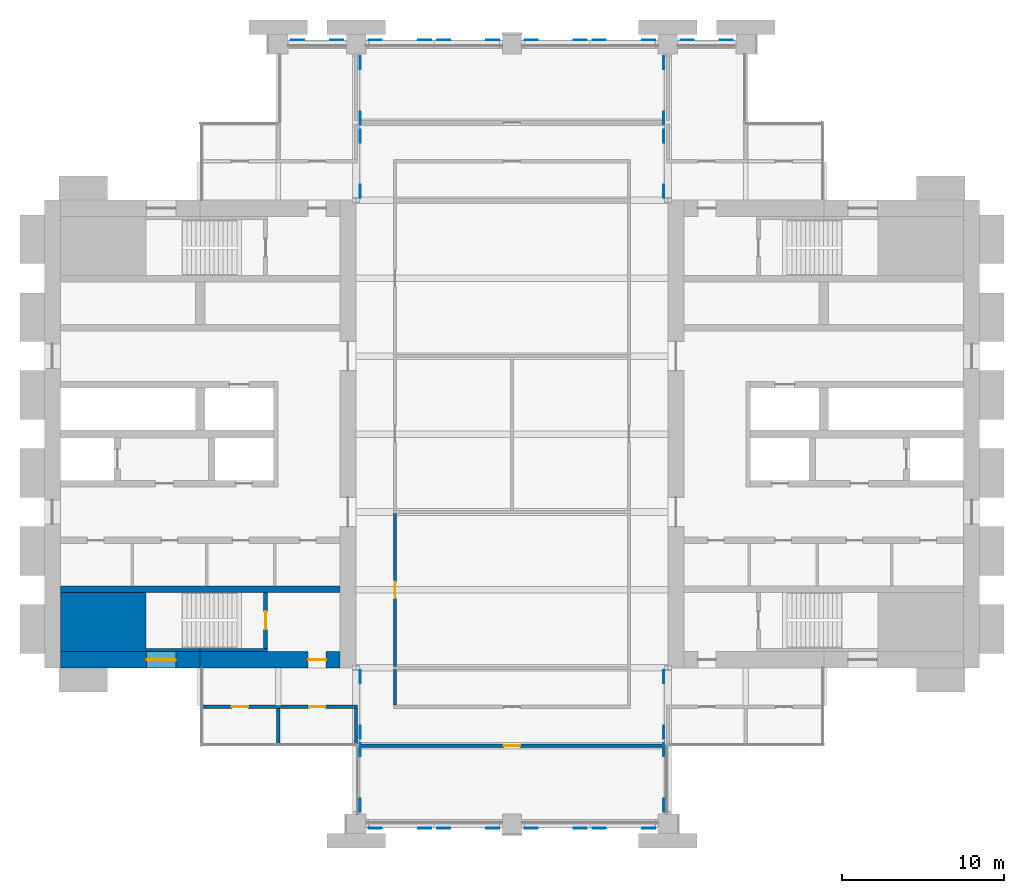
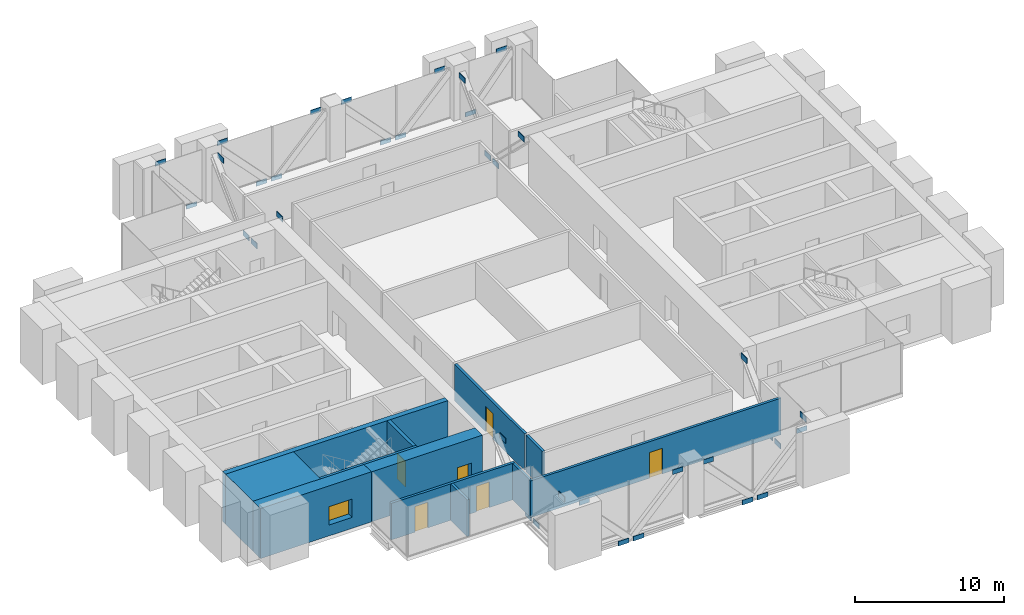
# One storey, part 9 of 14: 36 plates, 13 walls, 6 doors, 1 window, 7 openings.
"""IFC4 building model written with IfcOpenShell, lengths in metres."""

from ifc_helpers import new_model, si_unit, direction, frame, frame_2d, origin, place, context, subcontext, project, spatial, polyline, rectangle, outline, extrude, material, layer, layer_set, type_object, element, fill, save


model = new_model("IFC4")

# Units and contexts
model_context = context("Model", 3, precision=1e-05, world=origin(), true_north=direction((0.0, 1.0)))
body_context = subcontext(model_context, "Body", "Model", "MODEL_VIEW")
ifc_project = project(units=[si_unit("LENGTHUNIT", "METRE"), si_unit("AREAUNIT", "SQUARE_METRE"), si_unit("VOLUMEUNIT", "CUBIC_METRE"), si_unit("PLANEANGLEUNIT", "RADIAN"), si_unit("MASSUNIT", "GRAM", prefix="KILO")], contexts=[model_context])

# Site, building, storey
site_placement = place(None, origin())
site = spatial("IfcSite", under=ifc_project, at=site_placement, CompositionType="ELEMENT")
building_placement = place(site_placement, origin())
building = spatial("IfcBuilding", under=site, at=building_placement, Name="Baori Bourse Tower", CompositionType="ELEMENT")
storey_placement = place(building_placement, frame((0.0, 0.0, 176.10009765625)))
storey = spatial("IfcBuildingStorey", under=building, at=storey_placement, Name="L39", CompositionType="ELEMENT", Elevation=176.10009765625)

# Plates
ifc_material_1 = material(Name="Steel A572 Gr 50", Category="steel")
ifc_layer_1 = layer(ifc_material_1, 0.0400390625)
ifc_layer_set_1 = layer_set([ifc_layer_1], Name="Gusset plate 40")
plate_type_1 = type_object("IfcPlateType", Name="Gusset plate 40", PredefinedType="SHEET", material=ifc_layer_set_1)
plate_1_placement = place(storey_placement, frame((0.0, 0.0, 3.701171875)))
element("IfcPlate", 1, at=plate_1_placement, inside=storey, type_object=plate_type_1, Name="Gusset plate", PredefinedType="SHEET", context=body_context, shape_type="SweptSolid", body=[
    extrude(outline(polyline([(19.983642578125, -0.2939453125), (20.78369140625, -0.2939453125), (20.78369140625, -0.25390625), (19.983642578125, -0.25390625), (19.983642578125, -0.2939453125)])), origin(), (0.0, 0.0, 1.0), 0.374755859375),
])
plate_2_placement = place(storey_placement, frame((0.0, 0.0, -0.6748046875)))
element("IfcPlate", 2, at=plate_2_placement, inside=storey, type_object=plate_type_1, Name="Gusset plate", PredefinedType="SHEET", context=body_context, shape_type="SweptSolid", body=[
    extrude(outline(polyline([(23.016357421875, -0.2939453125), (23.816162109375, -0.2939453125), (23.816162109375, -0.25390625), (23.016357421875, -0.25390625), (23.016357421875, -0.2939453125)])), origin(), (0.0, 0.0, 1.0), 0.374755859375),
])
plate_3_placement = place(storey_placement, frame((0.0, 0.0, -0.6748046875)))
element("IfcPlate", 3, at=plate_3_placement, inside=storey, type_object=plate_type_1, Name="Gusset plate", PredefinedType="SHEET", context=body_context, shape_type="SweptSolid", body=[
    extrude(outline(polyline([(24.183837890625, -0.2939453125), (24.983642578125, -0.2939453125), (24.983642578125, -0.25390625), (24.183837890625, -0.25390625), (24.183837890625, -0.2939453125)])), origin(), (0.0, 0.0, 1.0), 0.374755859375),
])
plate_4_placement = place(storey_placement, frame((0.0, 0.0, 3.701171875)))
element("IfcPlate", 4, at=plate_4_placement, inside=storey, type_object=plate_type_1, Name="Gusset plate", PredefinedType="SHEET", context=body_context, shape_type="SweptSolid", body=[
    extrude(outline(polyline([(27.21630859375, -0.2939453125), (28.016357421875, -0.2939453125), (28.016357421875, -0.25390625), (27.21630859375, -0.25390625), (27.21630859375, -0.2939453125)])), origin(), (0.0, 0.0, 1.0), 0.374755859375),
])
plate_5_placement = place(storey_placement, frame((0.0, 0.0, 3.701171875)))
element("IfcPlate", 5, at=plate_5_placement, inside=storey, type_object=plate_type_1, Name="Gusset plate", PredefinedType="SHEET", context=body_context, shape_type="SweptSolid", body=[
    extrude(outline(polyline([(29.583740234375, -0.2939453125), (30.3837890625, -0.2939453125), (30.3837890625, -0.25390625), (29.583740234375, -0.25390625), (29.583740234375, -0.2939453125)])), origin(), (0.0, 0.0, 1.0), 0.374755859375),
])
plate_6_placement = place(storey_placement, frame((0.0, 0.0, -0.6748046875)))
element("IfcPlate", 6, at=plate_6_placement, inside=storey, type_object=plate_type_1, Name="Gusset plate", PredefinedType="SHEET", context=body_context, shape_type="SweptSolid", body=[
    extrude(outline(polyline([(32.6162109375, -0.2939453125), (33.416259765625, -0.2939453125), (33.416259765625, -0.25390625), (32.6162109375, -0.25390625), (32.6162109375, -0.2939453125)])), origin(), (0.0, 0.0, 1.0), 0.374755859375),
])
plate_7_placement = place(storey_placement, frame((0.0, 0.0, -0.6748046875)))
element("IfcPlate", 7, at=plate_7_placement, inside=storey, type_object=plate_type_1, Name="Gusset plate", PredefinedType="SHEET", context=body_context, shape_type="SweptSolid", body=[
    extrude(outline(polyline([(33.78369140625, -0.2939453125), (34.583740234375, -0.2939453125), (34.583740234375, -0.25390625), (33.78369140625, -0.25390625), (33.78369140625, -0.2939453125)])), origin(), (0.0, 0.0, 1.0), 0.374755859375),
])
plate_8_placement = place(storey_placement, frame((0.0, 0.0, 3.701171875)))
element("IfcPlate", 8, at=plate_8_placement, inside=storey, type_object=plate_type_1, Name="Gusset plate", PredefinedType="SHEET", context=body_context, shape_type="SweptSolid", body=[
    extrude(outline(polyline([(36.816162109375, -0.2939453125), (37.6162109375, -0.2939453125), (37.6162109375, -0.25390625), (36.816162109375, -0.25390625), (36.816162109375, -0.2939453125)])), origin(), (0.0, 0.0, 1.0), 0.374755859375),
])
plate_9_placement = place(storey_placement, frame((0.0, 0.0, 3.701171875)))
element("IfcPlate", 9, at=plate_9_placement, inside=storey, type_object=plate_type_1, Name="Gusset plate", PredefinedType="SHEET", context=body_context, shape_type="SweptSolid", body=[
    extrude(outline(polyline([(15.196533203125, 48.25390625), (15.99658203125, 48.25390625), (15.99658203125, 48.2939453125), (15.196533203125, 48.2939453125), (15.196533203125, 48.25390625)])), origin(), (0.0, 0.0, 1.0), 0.360107421875),
])
plate_10_placement = place(storey_placement, frame((0.0, 0.0, -0.660400390625)))
element("IfcPlate", 10, at=plate_10_placement, inside=storey, type_object=plate_type_1, Name="Gusset plate", PredefinedType="SHEET", context=body_context, shape_type="SweptSolid", body=[
    extrude(outline(polyline([(17.603515625, 48.25390625), (18.4033203125, 48.25390625), (18.4033203125, 48.2939453125), (17.603515625, 48.2939453125), (17.603515625, 48.25390625)])), origin(), (0.0, 0.0, 1.0), 0.3603515625),
])
plate_11_placement = place(storey_placement, frame((0.0, 0.0, 3.701171875)))
element("IfcPlate", 11, at=plate_11_placement, inside=storey, type_object=plate_type_1, Name="Gusset plate", PredefinedType="SHEET", context=body_context, shape_type="SweptSolid", body=[
    extrude(outline(polyline([(19.983642578125, 48.25390625), (20.78369140625, 48.25390625), (20.78369140625, 48.2939453125), (19.983642578125, 48.2939453125), (19.983642578125, 48.25390625)])), origin(), (0.0, 0.0, 1.0), 0.374755859375),
])
plate_12_placement = place(storey_placement, frame((0.0, 0.0, -0.6748046875)))
element("IfcPlate", 12, at=plate_12_placement, inside=storey, type_object=plate_type_1, Name="Gusset plate", PredefinedType="SHEET", context=body_context, shape_type="SweptSolid", body=[
    extrude(outline(polyline([(23.016357421875, 48.25390625), (23.816162109375, 48.25390625), (23.816162109375, 48.2939453125), (23.016357421875, 48.2939453125), (23.016357421875, 48.25390625)])), origin(), (0.0, 0.0, 1.0), 0.374755859375),
])
plate_13_placement = place(storey_placement, frame((0.0, 0.0, -0.6748046875)))
element("IfcPlate", 13, at=plate_13_placement, inside=storey, type_object=plate_type_1, Name="Gusset plate", PredefinedType="SHEET", context=body_context, shape_type="SweptSolid", body=[
    extrude(outline(polyline([(24.183837890625, 48.25390625), (24.983642578125, 48.25390625), (24.983642578125, 48.2939453125), (24.183837890625, 48.2939453125), (24.183837890625, 48.25390625)])), origin(), (0.0, 0.0, 1.0), 0.374755859375),
])
plate_14_placement = place(storey_placement, frame((0.0, 0.0, 3.701171875)))
element("IfcPlate", 14, at=plate_14_placement, inside=storey, type_object=plate_type_1, Name="Gusset plate", PredefinedType="SHEET", context=body_context, shape_type="SweptSolid", body=[
    extrude(outline(polyline([(27.21630859375, 48.25390625), (28.016357421875, 48.25390625), (28.016357421875, 48.2939453125), (27.21630859375, 48.2939453125), (27.21630859375, 48.25390625)])), origin(), (0.0, 0.0, 1.0), 0.374755859375),
])
plate_15_placement = place(storey_placement, frame((0.0, 0.0, 3.701171875)))
element("IfcPlate", 15, at=plate_15_placement, inside=storey, type_object=plate_type_1, Name="Gusset plate", PredefinedType="SHEET", context=body_context, shape_type="SweptSolid", body=[
    extrude(outline(polyline([(29.583740234375, 48.25390625), (30.3837890625, 48.25390625), (30.3837890625, 48.2939453125), (29.583740234375, 48.2939453125), (29.583740234375, 48.25390625)])), origin(), (0.0, 0.0, 1.0), 0.374755859375),
])
plate_16_placement = place(storey_placement, frame((0.0, 0.0, -0.6748046875)))
element("IfcPlate", 16, at=plate_16_placement, inside=storey, type_object=plate_type_1, Name="Gusset plate", PredefinedType="SHEET", context=body_context, shape_type="SweptSolid", body=[
    extrude(outline(polyline([(32.6162109375, 48.25390625), (33.416259765625, 48.25390625), (33.416259765625, 48.2939453125), (32.6162109375, 48.2939453125), (32.6162109375, 48.25390625)])), origin(), (0.0, 0.0, 1.0), 0.374755859375),
])
plate_17_placement = place(storey_placement, frame((0.0, 0.0, -0.6748046875)))
element("IfcPlate", 17, at=plate_17_placement, inside=storey, type_object=plate_type_1, Name="Gusset plate", PredefinedType="SHEET", context=body_context, shape_type="SweptSolid", body=[
    extrude(outline(polyline([(33.78369140625, 48.25390625), (34.583740234375, 48.25390625), (34.583740234375, 48.2939453125), (33.78369140625, 48.2939453125), (33.78369140625, 48.25390625)])), origin(), (0.0, 0.0, 1.0), 0.374755859375),
])
plate_18_placement = place(storey_placement, frame((0.0, 0.0, 3.701171875)))
element("IfcPlate", 18, at=plate_18_placement, inside=storey, type_object=plate_type_1, Name="Gusset plate", PredefinedType="SHEET", context=body_context, shape_type="SweptSolid", body=[
    extrude(outline(polyline([(36.816162109375, 48.25390625), (37.6162109375, 48.25390625), (37.6162109375, 48.2939453125), (36.816162109375, 48.2939453125), (36.816162109375, 48.25390625)])), origin(), (0.0, 0.0, 1.0), 0.374755859375),
])
plate_19_placement = place(storey_placement, frame((0.0, 0.0, -0.660400390625)))
element("IfcPlate", 19, at=plate_19_placement, inside=storey, type_object=plate_type_1, Name="Gusset plate", PredefinedType="SHEET", context=body_context, shape_type="SweptSolid", body=[
    extrude(outline(polyline([(39.196533203125, 48.25390625), (39.99658203125, 48.25390625), (39.99658203125, 48.2939453125), (39.196533203125, 48.2939453125), (39.196533203125, 48.25390625)])), origin(), (0.0, 0.0, 1.0), 0.3603515625),
])
plate_20_placement = place(storey_placement, frame((0.0, 0.0, 3.701171875)))
element("IfcPlate", 20, at=plate_20_placement, inside=storey, type_object=plate_type_1, Name="Gusset plate", PredefinedType="SHEET", context=body_context, shape_type="SweptSolid", body=[
    extrude(outline(polyline([(41.603515625, 48.25390625), (42.4033203125, 48.25390625), (42.4033203125, 48.2939453125), (41.603515625, 48.2939453125), (41.603515625, 48.25390625)])), origin(), (0.0, 0.0, 1.0), 0.360107421875),
])
ifc_material_2 = material(Name="Steel A572 Gr 50", Category="steel")
ifc_layer_2 = layer(ifc_material_2, 0.050048828125)
ifc_layer_set_2 = layer_set([ifc_layer_2], Name="Gusset plate 50")
plate_type_2 = type_object("IfcPlateType", Name="Gusset plate 50", PredefinedType="SHEET", material=ifc_layer_set_2)
plate_21_placement = place(storey_placement, frame((0.0, 0.0, 3.531005859375)))
element("IfcPlate", 21, at=plate_21_placement, inside=storey, type_object=plate_type_2, Name="Gusset plate", PredefinedType="SHEET", context=body_context, shape_type="SweptSolid", body=[
    extrude(outline(polyline([(19.42724609375, 0.74658203125), (19.477294921875, 0.74658203125), (19.477294921875, 1.54638671875), (19.42724609375, 1.54638671875), (19.42724609375, 0.74658203125)])), origin(), (0.0, 0.0, 1.0), 0.434326171875),
])
plate_22_placement = place(storey_placement, frame((0.0, 0.0, -0.734375)))
element("IfcPlate", 22, at=plate_22_placement, inside=storey, type_object=plate_type_2, Name="Gusset plate", PredefinedType="SHEET", context=body_context, shape_type="SweptSolid", body=[
    extrude(outline(polyline([(19.42724609375, 4.153564453125), (19.477294921875, 4.153564453125), (19.477294921875, 4.95361328125), (19.42724609375, 4.95361328125), (19.42724609375, 4.153564453125)])), origin(), (0.0, 0.0, 1.0), 0.434326171875),
])
plate_23_placement = place(storey_placement, frame((0.0, 0.0, -0.734375)))
element("IfcPlate", 23, at=plate_23_placement, inside=storey, type_object=plate_type_2, Name="Gusset plate", PredefinedType="SHEET", context=body_context, shape_type="SweptSolid", body=[
    extrude(outline(polyline([(19.42724609375, 5.24658203125), (19.477294921875, 5.24658203125), (19.477294921875, 6.04638671875), (19.42724609375, 6.04638671875), (19.42724609375, 5.24658203125)])), origin(), (0.0, 0.0, 1.0), 0.434326171875),
])
plate_24_placement = place(storey_placement, frame((0.0, 0.0, 3.531005859375)))
element("IfcPlate", 24, at=plate_24_placement, inside=storey, type_object=plate_type_2, Name="Gusset plate", PredefinedType="SHEET", context=body_context, shape_type="SweptSolid", body=[
    extrude(outline(polyline([(19.42724609375, 8.653564453125), (19.477294921875, 8.653564453125), (19.477294921875, 9.45361328125), (19.42724609375, 9.45361328125), (19.42724609375, 8.653564453125)])), origin(), (0.0, 0.0, 1.0), 0.434326171875),
])
plate_25_placement = place(storey_placement, frame((0.0, 0.0, 3.531005859375)))
element("IfcPlate", 25, at=plate_25_placement, inside=storey, type_object=plate_type_2, Name="Gusset plate", PredefinedType="SHEET", context=body_context, shape_type="SweptSolid", body=[
    extrude(outline(polyline([(19.42724609375, 38.54638671875), (19.477294921875, 38.54638671875), (19.477294921875, 39.346435546875), (19.42724609375, 39.346435546875), (19.42724609375, 38.54638671875)])), origin(), (0.0, 0.0, 1.0), 0.434326171875),
])
plate_26_placement = place(storey_placement, frame((0.0, 0.0, -0.734375)))
element("IfcPlate", 26, at=plate_26_placement, inside=storey, type_object=plate_type_2, Name="Gusset plate", PredefinedType="SHEET", context=body_context, shape_type="SweptSolid", body=[
    extrude(outline(polyline([(19.42724609375, 41.95361328125), (19.477294921875, 41.95361328125), (19.477294921875, 42.75341796875), (19.42724609375, 42.75341796875), (19.42724609375, 41.95361328125)])), origin(), (0.0, 0.0, 1.0), 0.434326171875),
])
plate_27_placement = place(storey_placement, frame((0.0, 0.0, -0.734375)))
element("IfcPlate", 27, at=plate_27_placement, inside=storey, type_object=plate_type_2, Name="Gusset plate", PredefinedType="SHEET", context=body_context, shape_type="SweptSolid", body=[
    extrude(outline(polyline([(19.42724609375, 43.04638671875), (19.477294921875, 43.04638671875), (19.477294921875, 43.846435546875), (19.42724609375, 43.846435546875), (19.42724609375, 43.04638671875)])), origin(), (0.0, 0.0, 1.0), 0.434326171875),
])
plate_28_placement = place(storey_placement, frame((0.0, 0.0, 3.531005859375)))
element("IfcPlate", 28, at=plate_28_placement, inside=storey, type_object=plate_type_2, Name="Gusset plate", PredefinedType="SHEET", context=body_context, shape_type="SweptSolid", body=[
    extrude(outline(polyline([(19.42724609375, 46.45361328125), (19.477294921875, 46.45361328125), (19.477294921875, 47.25341796875), (19.42724609375, 47.25341796875), (19.42724609375, 46.45361328125)])), origin(), (0.0, 0.0, 1.0), 0.434326171875),
])
plate_29_placement = place(storey_placement, frame((0.0, 0.0, 3.531005859375)))
element("IfcPlate", 29, at=plate_29_placement, inside=storey, type_object=plate_type_2, Name="Gusset plate", PredefinedType="SHEET", context=body_context, shape_type="SweptSolid", body=[
    extrude(outline(polyline([(38.12255859375, 0.74658203125), (38.172607421875, 0.74658203125), (38.172607421875, 1.54638671875), (38.12255859375, 1.54638671875), (38.12255859375, 0.74658203125)])), origin(), (0.0, 0.0, 1.0), 0.434326171875),
])
plate_30_placement = place(storey_placement, frame((0.0, 0.0, -0.734375)))
element("IfcPlate", 30, at=plate_30_placement, inside=storey, type_object=plate_type_2, Name="Gusset plate", PredefinedType="SHEET", context=body_context, shape_type="SweptSolid", body=[
    extrude(outline(polyline([(38.12255859375, 4.153564453125), (38.172607421875, 4.153564453125), (38.172607421875, 4.95361328125), (38.12255859375, 4.95361328125), (38.12255859375, 4.153564453125)])), origin(), (0.0, 0.0, 1.0), 0.434326171875),
])
plate_31_placement = place(storey_placement, frame((0.0, 0.0, -0.734375)))
element("IfcPlate", 31, at=plate_31_placement, inside=storey, type_object=plate_type_2, Name="Gusset plate", PredefinedType="SHEET", context=body_context, shape_type="SweptSolid", body=[
    extrude(outline(polyline([(38.12255859375, 5.24658203125), (38.172607421875, 5.24658203125), (38.172607421875, 6.04638671875), (38.12255859375, 6.04638671875), (38.12255859375, 5.24658203125)])), origin(), (0.0, 0.0, 1.0), 0.434326171875),
])
plate_32_placement = place(storey_placement, frame((0.0, 0.0, 3.531005859375)))
element("IfcPlate", 32, at=plate_32_placement, inside=storey, type_object=plate_type_2, Name="Gusset plate", PredefinedType="SHEET", context=body_context, shape_type="SweptSolid", body=[
    extrude(outline(polyline([(38.12255859375, 8.653564453125), (38.172607421875, 8.653564453125), (38.172607421875, 9.45361328125), (38.12255859375, 9.45361328125), (38.12255859375, 8.653564453125)])), origin(), (0.0, 0.0, 1.0), 0.434326171875),
])
plate_33_placement = place(storey_placement, frame((0.0, 0.0, 3.531005859375)))
element("IfcPlate", 33, at=plate_33_placement, inside=storey, type_object=plate_type_2, Name="Gusset plate", PredefinedType="SHEET", context=body_context, shape_type="SweptSolid", body=[
    extrude(outline(polyline([(38.12255859375, 38.54638671875), (38.172607421875, 38.54638671875), (38.172607421875, 39.346435546875), (38.12255859375, 39.346435546875), (38.12255859375, 38.54638671875)])), origin(), (0.0, 0.0, 1.0), 0.434326171875),
])
plate_34_placement = place(storey_placement, frame((0.0, 0.0, -0.734375)))
element("IfcPlate", 34, at=plate_34_placement, inside=storey, type_object=plate_type_2, Name="Gusset plate", PredefinedType="SHEET", context=body_context, shape_type="SweptSolid", body=[
    extrude(outline(polyline([(38.12255859375, 41.95361328125), (38.172607421875, 41.95361328125), (38.172607421875, 42.75341796875), (38.12255859375, 42.75341796875), (38.12255859375, 41.95361328125)])), origin(), (0.0, 0.0, 1.0), 0.434326171875),
])
plate_35_placement = place(storey_placement, frame((0.0, 0.0, -0.734375)))
element("IfcPlate", 35, at=plate_35_placement, inside=storey, type_object=plate_type_2, Name="Gusset plate", PredefinedType="SHEET", context=body_context, shape_type="SweptSolid", body=[
    extrude(outline(polyline([(38.12255859375, 43.04638671875), (38.172607421875, 43.04638671875), (38.172607421875, 43.846435546875), (38.12255859375, 43.846435546875), (38.12255859375, 43.04638671875)])), origin(), (0.0, 0.0, 1.0), 0.434326171875),
])
plate_36_placement = place(storey_placement, frame((0.0, 0.0, 3.531005859375)))
element("IfcPlate", 36, at=plate_36_placement, inside=storey, type_object=plate_type_2, Name="Gusset plate", PredefinedType="SHEET", context=body_context, shape_type="SweptSolid", body=[
    extrude(outline(polyline([(38.12255859375, 46.45361328125), (38.172607421875, 46.45361328125), (38.172607421875, 47.25341796875), (38.12255859375, 47.25341796875), (38.12255859375, 46.45361328125)])), origin(), (0.0, 0.0, 1.0), 0.434326171875),
])

# Wall
ifc_material_3 = material(Name="Concrete f'c 60 MPa", Category="concrete")
wall_type_1 = type_object("IfcWallType", Name="Core corner block f'c 60", PredefinedType="SHEAR", material=ifc_material_3)
wall_1_placement = place(storey_placement, frame((1.0, 12.425048828125, 0.0), z_axis=(0.0, 0.0, 1.0), x_axis=(1.0, 0.0, 0.0)))
element("IfcWall", 37, at=wall_1_placement, inside=storey, type_object=wall_type_1, Name="Core wall W05", PredefinedType="SHEAR", context=body_context, shape_type="SweptSolid", body=[
    extrude(rectangle(XDim=5.25, YDim=3.64990234375, at=frame_2d((2.625, 0.0))), origin(), (0.0, 0.0, 1.0), 4.099853515625),
])

# Wall, opening, window
ifc_material_4 = material(Name="Concrete f'c 60 MPa", Category="concrete")
ifc_layer_3 = layer(ifc_material_4, 1.0)
ifc_layer_set_3 = layer_set([ifc_layer_3], Name="Core wall 1000 f'c 60")
wall_type_2 = type_object("IfcWallType", Name="Core wall 1000 f'c 60", PredefinedType="SHEAR", material=ifc_layer_set_3)
wall_2_placement = place(storey_placement, frame((9.60009765625, 10.10009765625, 0.0), z_axis=(0.0, 0.0, 1.0), x_axis=(-1.0, 0.0, 0.0)))
wall_2 = element("IfcWall", 38, at=wall_2_placement, inside=storey, type_object=wall_type_2, Name="Core wall W02", PredefinedType="SHEAR", context=body_context, shape_type="SweptSolid", body=[
    extrude(rectangle(XDim=8.60009765625, YDim=1.0, at=frame_2d((4.300048828125, 0.0))), origin(), (0.0, 0.0, 1.0), 4.099853515625),
])
opening_1_placement = place(wall_2_placement, frame((1.5, 0.0, 0.89990234375)))
opening_1 = element("IfcOpeningElement", 39, at=opening_1_placement, cuts=wall_2, Name="Opening L39-KW103", PredefinedType="OPENING", context=body_context, shape_type="SweptSolid", body=[
    extrude(rectangle(XDim=1.800048828125, YDim=1.5, at=frame_2d((0.89990234375, 0.75))), frame((0.0, 0.510009765625, 0.0), z_axis=(0.0, -1.0, 0.0), x_axis=(1.0, 0.0, 0.0)), (0.0, 0.0, 1.0), 1.02001953125),
])
ifc_material_5 = material(Name="Pale anodised aluminium", Category="aluminium")
window_type = type_object("IfcWindowType", Name="Stair window 1800 x 1500", PartitioningType="SINGLE_PANEL", PredefinedType="WINDOW", material=ifc_material_5)
window_placement = place(opening_1_placement, origin())
window = element("IfcWindow", 40, at=window_placement, inside=storey, type_object=window_type, Name="Stair window W L39 3", OverallHeight=1.5, OverallWidth=1.800048828125, PartitioningType="SINGLE_PANEL", PredefinedType="WINDOW", context=body_context, shape_type="SweptSolid", body=[
    extrude(rectangle(XDim=1.800048828125, YDim=1.5, at=frame_2d((0.89990234375, 0.75))), frame((0.0, 0.030029296875, 0.0), z_axis=(0.0, -1.0, 0.0), x_axis=(1.0, 0.0, 0.0)), (0.0, 0.0, 1.0), 0.06005859375),
])
fill(opening_1, window)

# Wall, opening, door
wall_3_placement = place(storey_placement, frame((18.199951171875, 10.10009765625, 0.0), z_axis=(0.0, 0.0, 1.0), x_axis=(-1.0, 0.0, 0.0)))
wall_3 = element("IfcWall", 41, at=wall_3_placement, inside=storey, type_object=wall_type_2, Name="Core wall W03", PredefinedType="SHEAR", context=body_context, shape_type="SweptSolid", body=[
    extrude(rectangle(XDim=8.599853515625, YDim=1.0, at=frame_2d((4.2998046875, 0.0))), origin(), (0.0, 0.0, 1.0), 4.099853515625),
])
opening_2_placement = place(wall_3_placement, frame((0.85009765625, 0.0, 0.0)))
opening_2 = element("IfcOpeningElement", 42, at=opening_2_placement, cuts=wall_3, Name="Opening L39-D102", PredefinedType="OPENING", context=body_context, shape_type="SweptSolid", body=[
    extrude(rectangle(XDim=1.10009765625, YDim=2.10009765625, at=frame_2d((0.550048828125, 1.050048828125))), frame((0.0, 0.510009765625, 0.0), z_axis=(0.0, -1.0, 0.0), x_axis=(1.0, 0.0, 0.0)), (0.0, 0.0, 1.0), 1.02001953125),
])
ifc_material_6 = material(Name="Painted steel door", Category="steel")
door_type_1 = type_object("IfcDoorType", Name="Stair door 1100", OperationType="SINGLE_SWING_LEFT", PredefinedType="DOOR", material=ifc_material_6)
door_1_placement = place(opening_2_placement, origin())
door_1 = element("IfcDoor", 43, at=door_1_placement, inside=storey, type_object=door_type_1, Name="Stair vestibule door A W L39", OperationType="SINGLE_SWING_LEFT", OverallHeight=2.10009765625, OverallWidth=1.10009765625, PredefinedType="DOOR", context=body_context, shape_type="SweptSolid", body=[
    extrude(rectangle(XDim=1.10009765625, YDim=2.10009765625, at=frame_2d((0.550048828125, 1.050048828125))), frame((0.0, 0.02490234375, 0.0), z_axis=(0.0, -1.0, 0.0), x_axis=(1.0, 0.0, 0.0)), (0.0, 0.0, 1.0), 0.050048828125),
])
fill(opening_2, door_1)

ifc_material_7 = material(Name="Gypsum board partition")
ifc_layer_4 = layer(ifc_material_7, 0.199951171875)
ifc_layer_set_4 = layer_set([ifc_layer_4], Name="Plant room wall 200")
wall_type_3 = type_object("IfcWallType", Name="Plant room wall 200", PredefinedType="PARTITIONING", material=ifc_layer_set_4)
wall_4_placement = place(storey_placement, frame((19.10009765625, 4.800048828125, 0.0), z_axis=(0.0, 0.0, 1.0), x_axis=(1.0, 0.0, 0.0)))
wall_4 = element("IfcWall", 44, at=wall_4_placement, inside=storey, type_object=wall_type_3, Name="Partition", PredefinedType="PARTITIONING", context=body_context, shape_type="SweptSolid", body=[
    extrude(rectangle(XDim=19.39990234375, YDim=0.199951171875, at=frame_2d((9.699951171875, 0.0))), origin(), (0.0, 0.0, 1.0), 2.992431640625),
])
opening_3_placement = place(wall_4_placement, frame((9.199951171875, 0.0, 0.0)))
opening_3 = element("IfcOpeningElement", 45, at=opening_3_placement, cuts=wall_4, Name="Opening L39-D01", PredefinedType="OPENING", context=body_context, shape_type="SweptSolid", body=[
    extrude(rectangle(XDim=1.0, YDim=2.10009765625, at=frame_2d((0.5, 1.050048828125))), frame((0.0, 0.10986328125, 0.0), z_axis=(0.0, -1.0, 0.0), x_axis=(1.0, 0.0, 0.0)), (0.0, 0.0, 1.0), 0.219970703125),
])
ifc_material_8 = material(Name="Timber door leaf", Category="wood")
door_type_2 = type_object("IfcDoorType", Name="Door 1000 x 2100", OperationType="SINGLE_SWING_LEFT", PredefinedType="DOOR", material=ifc_material_8)
door_2_placement = place(opening_3_placement, origin())
door_2 = element("IfcDoor", 46, at=door_2_placement, inside=storey, type_object=door_type_2, Name="Door", OperationType="SINGLE_SWING_LEFT", OverallHeight=2.10009765625, OverallWidth=1.0, PredefinedType="DOOR", context=body_context, shape_type="SweptSolid", body=[
    extrude(rectangle(XDim=1.0, YDim=2.10009765625, at=frame_2d((0.5, 1.050048828125))), frame((0.0, 0.02490234375, 0.0), z_axis=(0.0, -1.0, 0.0), x_axis=(1.0, 0.0, 0.0)), (0.0, 0.0, 1.0), 0.050048828125),
])
fill(opening_3, door_2)

# Wall, openings, doors
wall_5_placement = place(storey_placement, frame((9.699951171875, 7.199951171875, 0.0), z_axis=(0.0, 0.0, 1.0), x_axis=(1.0, 0.0, 0.0)))
wall_5 = element("IfcWall", 47, at=wall_5_placement, inside=storey, type_object=wall_type_3, Name="Partition", PredefinedType="PARTITIONING", context=body_context, shape_type="SweptSolid", body=[
    extrude(rectangle(XDim=9.60009765625, YDim=0.199951171875, at=frame_2d((4.800048828125, 0.0))), origin(), (0.0, 0.0, 1.0), 2.992431640625),
])
opening_4_placement = place(wall_5_placement, frame((1.85009765625, 0.0, 0.0)))
opening_4 = element("IfcOpeningElement", 48, at=opening_4_placement, cuts=wall_5, Name="Opening L39-D02", PredefinedType="OPENING", context=body_context, shape_type="SweptSolid", body=[
    extrude(rectangle(XDim=1.0, YDim=2.10009765625, at=frame_2d((0.5, 1.050048828125))), frame((0.0, 0.10986328125, 0.0), z_axis=(0.0, -1.0, 0.0), x_axis=(1.0, 0.0, 0.0)), (0.0, 0.0, 1.0), 0.219970703125),
])
opening_5_placement = place(wall_5_placement, frame((6.60009765625, 0.0, 0.0)))
opening_5 = element("IfcOpeningElement", 49, at=opening_5_placement, cuts=wall_5, Name="Opening L39-D03", PredefinedType="OPENING", context=body_context, shape_type="SweptSolid", body=[
    extrude(rectangle(XDim=1.0, YDim=2.10009765625, at=frame_2d((0.5, 1.050048828125))), frame((0.0, 0.10986328125, 0.0), z_axis=(0.0, -1.0, 0.0), x_axis=(1.0, 0.0, 0.0)), (0.0, 0.0, 1.0), 0.219970703125),
])
door_3_placement = place(opening_4_placement, origin())
door_3 = element("IfcDoor", 50, at=door_3_placement, inside=storey, type_object=door_type_2, Name="Door", OperationType="SINGLE_SWING_LEFT", OverallHeight=2.10009765625, OverallWidth=1.0, PredefinedType="DOOR", context=body_context, shape_type="SweptSolid", body=[
    extrude(rectangle(XDim=1.0, YDim=2.10009765625, at=frame_2d((0.5, 1.050048828125))), frame((0.0, 0.02490234375, 0.0), z_axis=(0.0, -1.0, 0.0), x_axis=(1.0, 0.0, 0.0)), (0.0, 0.0, 1.0), 0.050048828125),
])
fill(opening_4, door_3)
door_4_placement = place(opening_5_placement, origin())
door_4 = element("IfcDoor", 51, at=door_4_placement, inside=storey, type_object=door_type_2, Name="Door", OperationType="SINGLE_SWING_RIGHT", OverallHeight=2.10009765625, OverallWidth=1.0, PredefinedType="DOOR", context=body_context, shape_type="SweptSolid", body=[
    extrude(rectangle(XDim=1.0, YDim=2.10009765625, at=frame_2d((0.5, 1.050048828125))), frame((0.0, 0.02490234375, 0.0), z_axis=(0.0, -1.0, 0.0), x_axis=(1.0, 0.0, 0.0)), (0.0, 0.0, 1.0), 0.050048828125),
])
fill(opening_5, door_4)

# Walls
for number, where, z_axis, x_axis, name in (
    (52, (14.39990234375, 4.89990234375, 0.0), (0.0, 0.0, 1.0), (0.0, 1.0, 0.0), "Partition"),
    (53, (19.199951171875, 4.89990234375, 0.0), (0.0, 0.0, 1.0), (0.0, 1.0, 0.0), "Partition"),
):
    element("IfcWall", number, at=place(storey_placement, frame(where, z_axis=z_axis, x_axis=x_axis)), inside=storey, type_object=wall_type_3, Name=name, PredefinedType="PARTITIONING", context=body_context, shape_type="SweptSolid", body=[
        extrude(rectangle(XDim=2.2001953125, YDim=0.199951171875, at=frame_2d((1.10009765625, 0.0))), origin(), (0.0, 0.0, 1.0), 2.992431640625),
    ])
wall_6_placement = place(storey_placement, frame((21.60009765625, 7.300048828125, 0.0), z_axis=(0.0, 0.0, 1.0), x_axis=(0.0, 1.0, 0.0)))
element("IfcWall", 54, at=wall_6_placement, inside=storey, type_object=wall_type_3, Name="Partition", PredefinedType="PARTITIONING", context=body_context, shape_type="SweptSolid", body=[
    extrude(rectangle(XDim=2.199951171875, YDim=0.199951171875, at=frame_2d((1.10009765625, 0.0))), origin(), (0.0, 0.0, 1.0), 2.992431640625),
])

# Wall, opening, door
wall_7_placement = place(storey_placement, frame((21.60009765625, 9.699951171875, 0.0), z_axis=(0.0, 0.0, 1.0), x_axis=(0.0, 1.0, 0.0)))
wall_7 = element("IfcWall", 55, at=wall_7_placement, inside=storey, type_object=wall_type_3, Name="Partition", PredefinedType="PARTITIONING", context=body_context, shape_type="SweptSolid", body=[
    extrude(rectangle(XDim=9.400146484375, YDim=0.199951171875, at=frame_2d((4.7001953125, 0.0))), origin(), (0.0, 0.0, 1.0), 2.992431640625),
])
opening_6_placement = place(wall_7_placement, frame((4.199951171875, 0.0, 0.0)))
opening_6 = element("IfcOpeningElement", 56, at=opening_6_placement, cuts=wall_7, Name="Opening L39-D13", PredefinedType="OPENING", context=body_context, shape_type="SweptSolid", body=[
    extrude(rectangle(XDim=1.0, YDim=2.10009765625, at=frame_2d((0.5, 1.050048828125))), frame((0.0, 0.10986328125, 0.0), z_axis=(0.0, -1.0, 0.0), x_axis=(1.0, 0.0, 0.0)), (0.0, 0.0, 1.0), 0.219970703125),
])
door_5_placement = place(opening_6_placement, origin())
door_5 = element("IfcDoor", 57, at=door_5_placement, inside=storey, type_object=door_type_2, Name="Door", OperationType="SINGLE_SWING_LEFT", OverallHeight=2.10009765625, OverallWidth=1.0, PredefinedType="DOOR", context=body_context, shape_type="SweptSolid", body=[
    extrude(rectangle(XDim=1.0, YDim=2.10009765625, at=frame_2d((0.5, 1.050048828125))), frame((0.0, 0.02490234375, 0.0), z_axis=(0.0, -1.0, 0.0), x_axis=(1.0, 0.0, 0.0)), (0.0, 0.0, 1.0), 0.050048828125),
])
fill(opening_6, door_5)

# Walls
ifc_material_9 = material(Name="Concrete f'c 60 MPa", Category="concrete")
ifc_layer_5 = layer(ifc_material_9, 0.199951171875)
ifc_layer_set_5 = layer_set([ifc_layer_5], Name="Shaft wall 200 f'c 60")
wall_type_4 = type_object("IfcWallType", Name="Shaft wall 200 f'c 60", PredefinedType="SHEAR", material=ifc_layer_set_5)
wall_8_placement = place(storey_placement, frame((6.25, 10.699951171875, 0.0), z_axis=(0.0, 0.0, 1.0), x_axis=(1.0, 0.0, 0.0)))
element("IfcWall", 58, at=wall_8_placement, inside=storey, type_object=wall_type_4, Name="Core wall W06", PredefinedType="SHEAR", context=body_context, shape_type="SweptSolid", body=[
    extrude(rectangle(XDim=3.35009765625, YDim=0.199951171875, at=frame_2d((1.675048828125, 0.0))), origin(), (0.0, 0.0, 1.0), 4.099853515625),
])
wall_9_placement = place(storey_placement, frame((9.60009765625, 10.699951171875, 0.0), z_axis=(0.0, 0.0, 1.0), x_axis=(1.0, 0.0, 0.0)))
element("IfcWall", 59, at=wall_9_placement, inside=storey, type_object=wall_type_4, Name="Core wall W07", PredefinedType="SHEAR", context=body_context, shape_type="SweptSolid", body=[
    extrude(rectangle(XDim=4.14990234375, YDim=0.199951171875, at=frame_2d((2.074951171875, 0.0))), origin(), (0.0, 0.0, 1.0), 4.099853515625),
])

# Wall, opening, door
ifc_material_10 = material(Name="Concrete f'c 60 MPa", Category="concrete")
ifc_layer_6 = layer(ifc_material_10, 0.25)
ifc_layer_set_6 = layer_set([ifc_layer_6], Name="Shaft wall 250 f'c 60")
wall_type_5 = type_object("IfcWallType", Name="Shaft wall 250 f'c 60", PredefinedType="SHEAR", material=ifc_layer_set_6)
wall_10_placement = place(storey_placement, frame((13.625, 10.800048828125, 0.0), z_axis=(0.0, 0.0, 1.0), x_axis=(0.0, 1.0, 0.0)))
wall_10 = element("IfcWall", 60, at=wall_10_placement, inside=storey, type_object=wall_type_5, Name="Core wall W08", PredefinedType="SHEAR", context=body_context, shape_type="SweptSolid", body=[
    extrude(rectangle(XDim=3.449951171875, YDim=0.25, at=frame_2d((1.72509765625, 0.0))), origin(), (0.0, 0.0, 1.0), 4.099853515625),
])
opening_7_placement = place(wall_10_placement, frame((1.175048828125, 0.0, 0.0)))
opening_7 = element("IfcOpeningElement", 61, at=opening_7_placement, cuts=wall_10, Name="Opening L39-D101", PredefinedType="OPENING", context=body_context, shape_type="SweptSolid", body=[
    extrude(rectangle(XDim=1.10009765625, YDim=2.10009765625, at=frame_2d((0.550048828125, 1.050048828125))), frame((0.0, 0.135009765625, 0.0), z_axis=(0.0, -1.0, 0.0), x_axis=(1.0, 0.0, 0.0)), (0.0, 0.0, 1.0), 0.27001953125),
])
door_6_placement = place(opening_7_placement, origin())
door_6 = element("IfcDoor", 62, at=door_6_placement, inside=storey, type_object=door_type_1, Name="Stair door A W L39", OperationType="SINGLE_SWING_LEFT", OverallHeight=2.10009765625, OverallWidth=1.10009765625, PredefinedType="DOOR", context=body_context, shape_type="SweptSolid", body=[
    extrude(rectangle(XDim=1.10009765625, YDim=2.10009765625, at=frame_2d((0.550048828125, 1.050048828125))), frame((0.0, 0.02490234375, 0.0), z_axis=(0.0, -1.0, 0.0), x_axis=(1.0, 0.0, 0.0)), (0.0, 0.0, 1.0), 0.050048828125),
])
fill(opening_7, door_6)

# Wall
ifc_material_11 = material(Name="Concrete f'c 60 MPa", Category="concrete")
ifc_layer_7 = layer(ifc_material_11, 0.39990234375)
ifc_layer_set_7 = layer_set([ifc_layer_7], Name="Shaft wall 400 f'c 60")
wall_type_6 = type_object("IfcWallType", Name="Shaft wall 400 f'c 60", PredefinedType="SHEAR", material=ifc_layer_set_7)
wall_11_placement = place(storey_placement, frame((1.0, 14.449951171875, 0.0), z_axis=(0.0, 0.0, 1.0), x_axis=(1.0, 0.0, 0.0)))
element("IfcWall", 63, at=wall_11_placement, inside=storey, type_object=wall_type_6, Name="Core wall W09", PredefinedType="SHEAR", context=body_context, shape_type="SweptSolid", body=[
    extrude(rectangle(XDim=17.199951171875, YDim=0.39990234375, at=frame_2d((8.60009765625, 0.0))), origin(), (0.0, 0.0, 1.0), 4.099853515625),
])

save(model, "model.ifc")
